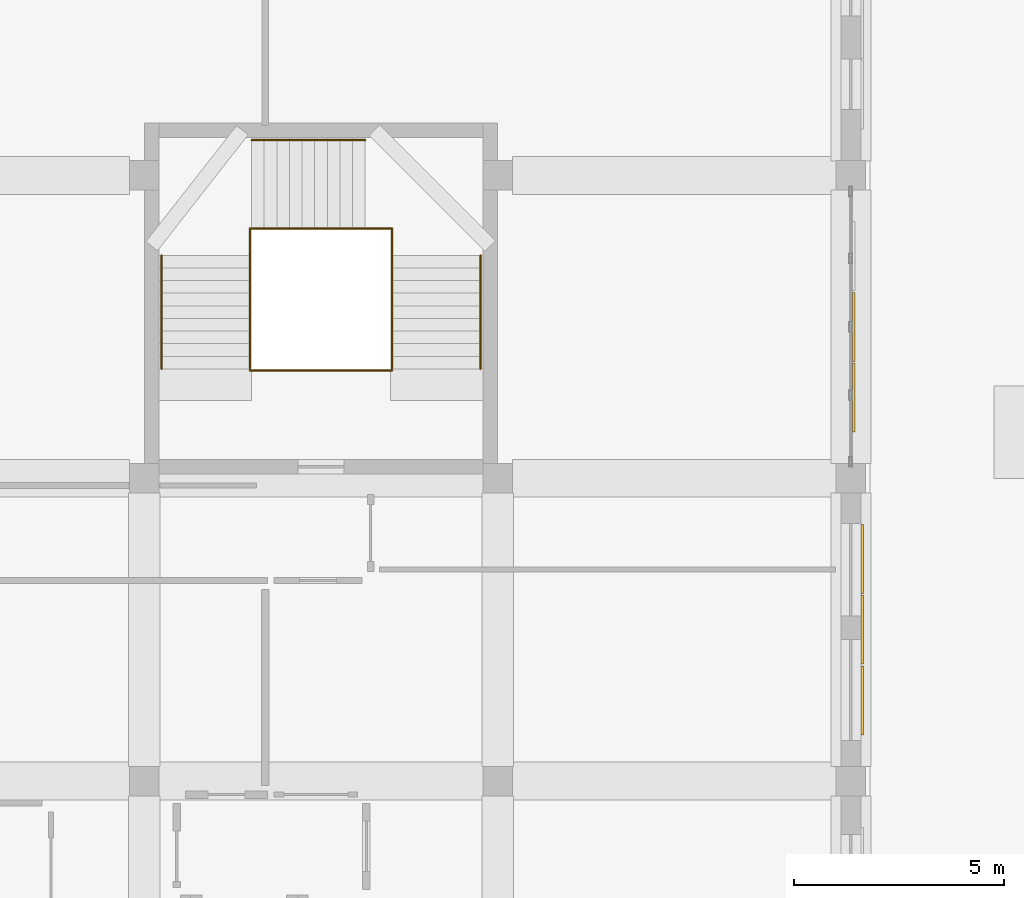
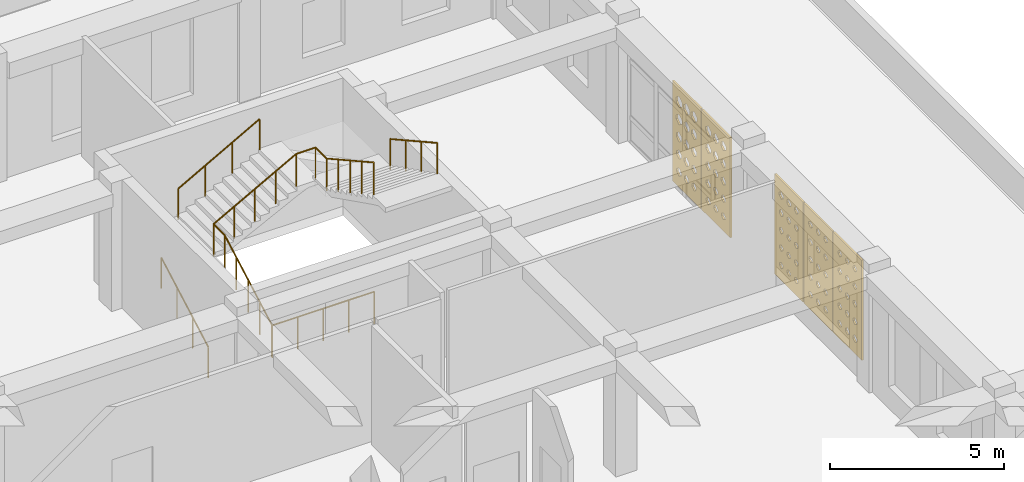
# One storey, part 93 of 100: 7 railings, 5 coverings.
"""IFC4 building model written with IfcOpenShell, lengths in metres."""

from ifc_helpers import new_model, si_unit, derived_unit, direction, frame, origin, origin_2d, place, context, subcontext, project, spatial, polyline, circle, outline, extrude, material, layer, layer_set, type_object, element, save


model = new_model("IFC4")

# Units and contexts
model_context = context("Model", 3, precision=1e-05, world=origin(), true_north=direction((0.0, 1.0)))
body_context = subcontext(model_context, "Body", "Model", "MODEL_VIEW")
ifc_project = project(units=[si_unit("LENGTHUNIT", "METRE"), si_unit("AREAUNIT", "SQUARE_METRE"), si_unit("VOLUMEUNIT", "CUBIC_METRE"), si_unit("PLANEANGLEUNIT", "RADIAN"), si_unit("MASSUNIT", "GRAM", prefix="KILO"), derived_unit("THERMALTRANSMITTANCEUNIT", [(si_unit("POWERUNIT", "WATT"), 1), (si_unit("LENGTHUNIT", "METRE"), -2), (si_unit("THERMODYNAMICTEMPERATUREUNIT", "KELVIN"), -1)])], contexts=[model_context])

# Site, building, storey
site_placement = place(None, origin())
site = spatial("IfcSite", under=ifc_project, at=site_placement, CompositionType="ELEMENT")
building_placement = place(site_placement, origin())
building = spatial("IfcBuilding", under=site, at=building_placement, Name="Veybourne Emporium", CompositionType="ELEMENT")
storey_placement = place(building_placement, frame((0.0, 0.0, 14.39990234375)))
storey = spatial("IfcBuildingStorey", under=building, at=storey_placement, Name="L03", CompositionType="ELEMENT", Elevation=14.39990234375)

# Railings
ifc_material_1 = material(Name="Brushed Stainless Steel", Category="steel")
railing_type_1 = type_object("IfcRailingType", Name="Guard_GR-01", PredefinedType="GUARDRAIL", material=ifc_material_1)
railing_1_placement = place(storey_placement, frame((78.110107421875, 89.0, 0.0)))
element("IfcRailing", 1, at=railing_1_placement, inside=storey, type_object=railing_type_1, Name="L03 ST-04 stair guard 1", PredefinedType="GUARDRAIL", context=body_context, shape_type="SweptSolid", body=[
    extrude(circle(Radius=0.02392578125, at=origin_2d()), frame((0.0, 0.0, 1.1259765625), z_axis=(0.0, 0.87415354758, 0.485649642493), x_axis=(-1.0, 0.0, 0.0)), (0.0, 0.0, 1.0), 3.088623046875),
    extrude(circle(Radius=0.02392578125, at=origin_2d()), frame((0.0, 2.699951171875, 2.6259765625), z_axis=(0.0, 1.0, 0.0), x_axis=(-1.0, 0.0, 0.0)), (0.0, 0.0, 1.0), 0.64013671875),
    extrude(circle(Radius=0.02099609375, at=origin_2d()), origin(), (0.0, 0.0, 1.0), 1.101806640625),
    extrude(circle(Radius=0.02099609375, at=origin_2d()), frame((0.0, 0.675048828125, 0.375)), (0.0, 0.0, 1.0), 1.101806640625),
    extrude(circle(Radius=0.02099609375, at=origin_2d()), frame((0.0, 1.35009765625, 0.75)), (0.0, 0.0, 1.0), 1.101806640625),
    extrude(circle(Radius=0.02099609375, at=origin_2d()), frame((0.0, 2.02490234375, 1.125)), (0.0, 0.0, 1.0), 1.101806640625),
    extrude(circle(Radius=0.02099609375, at=origin_2d()), frame((0.0, 2.699951171875, 1.5)), (0.0, 0.0, 1.0), 1.101806640625),
    extrude(circle(Radius=0.02099609375, at=origin_2d()), frame((0.0, 3.340087890625, 1.5)), (0.0, 0.0, 1.0), 1.101806640625),
])
railing_2_placement = place(storey_placement, frame((78.110107421875, 92.340087890625, 1.5)))
element("IfcRailing", 2, at=railing_2_placement, inside=storey, type_object=railing_type_1, Name="L03 ST-04 stair guard 2", PredefinedType="GUARDRAIL", context=body_context, shape_type="SweptSolid", body=[
    extrude(circle(Radius=0.02392578125, at=origin_2d()), frame((0.0, 0.0, 1.1259765625), z_axis=(0.87715976088, 0.0, 0.480198660861), x_axis=(0.0, 1.0, 0.0)), (0.0, 0.0, 1.0), 3.123779296875),
    extrude(circle(Radius=0.02392578125, at=origin_2d()), frame((2.739990234375, 0.0, 2.6259765625), z_axis=(1.0, 0.0, 0.0), x_axis=(0.0, 1.0, 0.0)), (0.0, 0.0, 1.0), 0.639892578125),
    extrude(circle(Radius=0.02099609375, at=origin_2d()), origin(), (0.0, 0.0, 1.0), 1.101806640625),
    extrude(circle(Radius=0.02099609375, at=origin_2d()), frame((0.68505859375, 0.0, 0.375)), (0.0, 0.0, 1.0), 1.101806640625),
    extrude(circle(Radius=0.02099609375, at=origin_2d()), frame((1.3701171875, 0.0, 0.75)), (0.0, 0.0, 1.0), 1.101806640625),
    extrude(circle(Radius=0.02099609375, at=origin_2d()), frame((2.054931640625, 0.0, 1.125)), (0.0, 0.0, 1.0), 1.101806640625),
    extrude(circle(Radius=0.02099609375, at=origin_2d()), frame((2.739990234375, 0.0, 1.5)), (0.0, 0.0, 1.0), 1.101806640625),
    extrude(circle(Radius=0.02099609375, at=origin_2d()), frame((3.3798828125, 0.0, 1.5)), (0.0, 0.0, 1.0), 1.101806640625),
])
railing_3_placement = place(storey_placement, frame((81.489990234375, 92.340087890625, 3.0)))
element("IfcRailing", 3, at=railing_3_placement, inside=storey, type_object=railing_type_1, Name="L03 ST-04 stair guard 3", PredefinedType="GUARDRAIL", context=body_context, shape_type="SweptSolid", body=[
    extrude(circle(Radius=0.02392578125, at=origin_2d()), frame((0.0, 0.0, 1.1259765625), z_axis=(0.0, -1.0, 0.0), x_axis=(1.0, 0.0, 0.0)), (0.0, 0.0, 1.0), 0.64013671875),
    extrude(circle(Radius=0.02392578125, at=origin_2d()), frame((0.0, -0.64013671875, 1.1259765625), z_axis=(0.0, -0.87415354758, 0.485649642493), x_axis=(1.0, 0.0, 0.0)), (0.0, 0.0, 1.0), 3.088623046875),
    extrude(circle(Radius=0.02099609375, at=origin_2d()), origin(), (0.0, 0.0, 1.0), 1.101806640625),
    extrude(circle(Radius=0.02099609375, at=origin_2d()), frame((0.0, -0.64013671875, 0.0)), (0.0, 0.0, 1.0), 1.101806640625),
    extrude(circle(Radius=0.02099609375, at=origin_2d()), frame((0.0, -1.315185546875, 0.375)), (0.0, 0.0, 1.0), 1.101806640625),
    extrude(circle(Radius=0.02099609375, at=origin_2d()), frame((0.0, -1.990234375, 0.75)), (0.0, 0.0, 1.0), 1.101806640625),
    extrude(circle(Radius=0.02099609375, at=origin_2d()), frame((0.0, -2.6650390625, 1.125)), (0.0, 0.0, 1.0), 1.101806640625),
    extrude(circle(Radius=0.02099609375, at=origin_2d()), frame((0.0, -3.340087890625, 1.5)), (0.0, 0.0, 1.0), 1.101806640625),
])
railing_4_placement = place(storey_placement, frame((78.110107421875, 88.9599609375, 0.0)))
element("IfcRailing", 4, at=railing_4_placement, inside=storey, type_object=railing_type_1, Name="L03 ST-04 stair guard 4", PredefinedType="GUARDRAIL", context=body_context, shape_type="SweptSolid", body=[
    extrude(circle(Radius=0.02392578125, at=origin_2d()), frame((0.0, 0.0, 1.1259765625), z_axis=(1.0, 0.0, 0.0), x_axis=(0.0, 1.0, 0.0)), (0.0, 0.0, 1.0), 3.3798828125),
    extrude(circle(Radius=0.02099609375, at=origin_2d()), origin(), (0.0, 0.0, 1.0), 1.101806640625),
    extrude(circle(Radius=0.02099609375, at=origin_2d()), frame((0.844970703125, 0.0, 0.0)), (0.0, 0.0, 1.0), 1.101806640625),
    extrude(circle(Radius=0.02099609375, at=origin_2d()), frame((1.68994140625, 0.0, 0.0)), (0.0, 0.0, 1.0), 1.101806640625),
    extrude(circle(Radius=0.02099609375, at=origin_2d()), frame((2.534912109375, 0.0, 0.0)), (0.0, 0.0, 1.0), 1.101806640625),
    extrude(circle(Radius=0.02099609375, at=origin_2d()), frame((3.3798828125, 0.0, 0.0)), (0.0, 0.0, 1.0), 1.101806640625),
])
railing_type_2 = type_object("IfcRailingType", Name="Handrail_HR-01", PredefinedType="HANDRAIL", material=ifc_material_1)
railing_5_placement = place(storey_placement, frame((76.010009765625, 89.0, 0.150146484375)))
element("IfcRailing", 5, at=railing_5_placement, inside=storey, type_object=railing_type_2, Name="L03 ST-04 pitch handrail 1", PredefinedType="HANDRAIL", context=body_context, shape_type="SweptSolid", body=[
    extrude(circle(Radius=0.02392578125, at=origin_2d()), frame((0.0, 0.0, 0.92578125), z_axis=(0.0, 0.87415354758, 0.485649642493), x_axis=(-1.0, 0.0, 0.0)), (0.0, 0.0, 1.0), 3.088623046875),
    extrude(circle(Radius=0.02099609375, at=origin_2d()), frame((0.0, 0.0, -0.14990234375)), (0.0, 0.0, 1.0), 1.0517578125),
    extrude(circle(Radius=0.02099609375, at=origin_2d()), frame((0.0, 0.89990234375, 0.35009765625)), (0.0, 0.0, 1.0), 1.0517578125),
    extrude(circle(Radius=0.02099609375, at=origin_2d()), frame((0.0, 1.800048828125, 0.85009765625)), (0.0, 0.0, 1.0), 1.0517578125),
    extrude(circle(Radius=0.02099609375, at=origin_2d()), frame((0.0, 2.699951171875, 1.35009765625)), (0.0, 0.0, 1.0), 1.0517578125),
])
railing_6_placement = place(storey_placement, frame((78.14990234375, 94.43994140625, 1.650146484375)))
element("IfcRailing", 6, at=railing_6_placement, inside=storey, type_object=railing_type_2, Name="L03 ST-04 pitch handrail 2", PredefinedType="HANDRAIL", context=body_context, shape_type="SweptSolid", body=[
    extrude(circle(Radius=0.02392578125, at=origin_2d()), frame((0.0, 0.0, 0.92578125), z_axis=(0.874172188743, 0.0, 0.48561608749), x_axis=(0.0, 1.0, 0.0)), (0.0, 0.0, 1.0), 3.0888671875),
    extrude(circle(Radius=0.02099609375, at=origin_2d()), frame((0.0, 0.0, -0.14990234375)), (0.0, 0.0, 1.0), 1.0517578125),
    extrude(circle(Radius=0.02099609375, at=origin_2d()), frame((0.900146484375, 0.0, 0.35009765625)), (0.0, 0.0, 1.0), 1.0517578125),
    extrude(circle(Radius=0.02099609375, at=origin_2d()), frame((1.800048828125, 0.0, 0.85009765625)), (0.0, 0.0, 1.0), 1.0517578125),
    extrude(circle(Radius=0.02099609375, at=origin_2d()), frame((2.7001953125, 0.0, 1.35009765625)), (0.0, 0.0, 1.0), 1.0517578125),
])
railing_7_placement = place(storey_placement, frame((83.590087890625, 91.699951171875, 3.150146484375)))
element("IfcRailing", 7, at=railing_7_placement, inside=storey, type_object=railing_type_2, Name="L03 ST-04 pitch handrail 3", PredefinedType="HANDRAIL", context=body_context, shape_type="SweptSolid", body=[
    extrude(circle(Radius=0.02392578125, at=origin_2d()), frame((0.0, 0.0, 0.92578125), z_axis=(0.0, -0.87415354758, 0.485649642493), x_axis=(1.0, 0.0, 0.0)), (0.0, 0.0, 1.0), 3.088623046875),
    extrude(circle(Radius=0.02099609375, at=origin_2d()), frame((0.0, 0.0, -0.14990234375)), (0.0, 0.0, 1.0), 1.0517578125),
    extrude(circle(Radius=0.02099609375, at=origin_2d()), frame((0.0, -0.89990234375, 0.35009765625)), (0.0, 0.0, 1.0), 1.0517578125),
    extrude(circle(Radius=0.02099609375, at=origin_2d()), frame((0.0, -1.800048828125, 0.85009765625)), (0.0, 0.0, 1.0), 1.0517578125),
    extrude(circle(Radius=0.02099609375, at=origin_2d()), frame((0.0, -2.699951171875, 1.35009765625)), (0.0, 0.0, 1.0), 1.0517578125),
])

# Coverings
ifc_material_2 = material(Name="Warm-White Perforated Aluminium Screen Alloy", Category="aluminium")
ifc_layer_1 = layer(ifc_material_2, 0.06005859375)
ifc_layer_set_1 = layer_set([ifc_layer_1], Name="Warm-White Perforated Aluminium Screen Alloy")
covering_type_1 = type_object("IfcCoveringType", Name="WaveScreen_SCR-01", PredefinedType="CLADDING", material=ifc_layer_set_1)
covering_1_placement = place(storey_placement, frame((92.697998046875, 84.47998046875, 1.815185546875), z_axis=(-1.0, 0.0, 0.0), x_axis=(0.0, -1.0, 0.0)))
element("IfcCovering", 8, at=covering_1_placement, inside=storey, type_object=covering_type_1, Name="L03 wave-perforated aluminium screen SCR-01 (44.1)", PredefinedType="CLADDING", context=body_context, shape_type="SweptSolid", body=[
    extrude(outline(polyline([(-0.81982421875, -1.7548828125), (0.81982421875, -1.7548828125), (0.81982421875, 1.7548828125), (-0.81982421875, 1.7548828125), (-0.81982421875, -1.7548828125)]), holes=[polyline([(-0.433349609375, -1.117919921875), (-0.333251953125, -1.1884765625), (-0.333251953125, -1.267578125), (-0.433349609375, -1.337890625), (-0.533447265625, -1.267578125), (-0.533447265625, -1.1884765625), (-0.433349609375, -1.117919921875)]), polyline([(-0.433349609375, -0.502197265625), (-0.331787109375, -0.57373046875), (-0.331787109375, -0.654296875), (-0.433349609375, -0.7255859375), (-0.53466796875, -0.654296875), (-0.53466796875, -0.57373046875), (-0.433349609375, -0.502197265625)]), polyline([(-0.433349609375, 0.11572265625), (-0.32861328125, 0.041748046875), (-0.32861328125, -0.041748046875), (-0.433349609375, -0.11572265625), (-0.5380859375, -0.041748046875), (-0.5380859375, 0.041748046875), (-0.433349609375, 0.11572265625)]), polyline([(-0.433349609375, 0.736083984375), (-0.323486328125, 0.657958984375), (-0.323486328125, 0.570068359375), (-0.433349609375, 0.491943359375), (-0.543212890625, 0.570068359375), (-0.543212890625, 0.657958984375), (-0.433349609375, 0.736083984375)]), polyline([(-0.433349609375, 1.3583984375), (-0.316650390625, 1.27490234375), (-0.316650390625, 1.180908203125), (-0.433349609375, 1.097412109375), (-0.550048828125, 1.180908203125), (-0.550048828125, 1.27490234375), (-0.433349609375, 1.3583984375)]), polyline([(0.0, -1.117919921875), (0.10009765625, -1.1884765625), (0.10009765625, -1.267578125), (0.0, -1.338134765625), (-0.10009765625, -1.267578125), (-0.10009765625, -1.1884765625), (0.0, -1.117919921875)]), polyline([(0.0, -0.50341796875), (0.1005859375, -0.57421875), (0.1005859375, -0.65380859375), (0.0, -0.724609375), (-0.1005859375, -0.65380859375), (-0.1005859375, -0.57421875), (0.0, -0.50341796875)]), polyline([(0.0, 0.113525390625), (0.10302734375, 0.041015625), (0.10302734375, -0.041015625), (0.0, -0.113525390625), (-0.10302734375, -0.041015625), (-0.10302734375, 0.041015625), (0.0, 0.113525390625)]), polyline([(0.0, 0.73291015625), (0.107421875, 0.65673828125), (0.107421875, 0.5712890625), (0.0, 0.4951171875), (-0.107421875, 0.5712890625), (-0.107421875, 0.65673828125), (0.0, 0.73291015625)]), polyline([(0.0, 1.3544921875), (0.113525390625, 1.2734375), (0.113525390625, 1.1826171875), (0.0, 1.1015625), (-0.113525390625, 1.1826171875), (-0.113525390625, 1.2734375), (0.0, 1.3544921875)]), polyline([(0.433349609375, -1.117431640625), (0.53369140625, -1.188232421875), (0.53369140625, -1.267822265625), (0.433349609375, -1.338623046875), (0.332763671875, -1.267822265625), (0.332763671875, -1.188232421875), (0.433349609375, -1.117431640625)]), polyline([(0.433349609375, -0.50390625), (0.533447265625, -0.574462890625), (0.533447265625, -0.653564453125), (0.433349609375, -0.72412109375), (0.333251953125, -0.653564453125), (0.333251953125, -0.574462890625), (0.433349609375, -0.50390625)]), polyline([(0.433349609375, 0.112060546875), (0.534912109375, 0.040283203125), (0.534912109375, -0.040283203125), (0.433349609375, -0.112060546875), (0.331787109375, -0.040283203125), (0.331787109375, 0.040283203125), (0.433349609375, 0.112060546875)]), polyline([(0.433349609375, 0.730224609375), (0.53857421875, 0.656005859375), (0.53857421875, 0.572021484375), (0.433349609375, 0.497802734375), (0.328125, 0.572021484375), (0.328125, 0.656005859375), (0.433349609375, 0.730224609375)]), polyline([(0.433349609375, 1.350830078125), (0.543701171875, 1.272216796875), (0.543701171875, 1.183837890625), (0.433349609375, 1.105224609375), (0.322998046875, 1.183837890625), (0.322998046875, 1.272216796875), (0.433349609375, 1.350830078125)])]), origin(), (0.0, 0.0, 1.0), 0.06005859375),
])
ifc_layer_2 = layer(ifc_material_2, 0.06005859375)
ifc_layer_set_2 = layer_set([ifc_layer_2], Name="Warm-White Perforated Aluminium Screen Alloy")
covering_type_2 = type_object("IfcCoveringType", Name="WaveScreen_SCR-02", PredefinedType="CLADDING", material=ifc_layer_set_2)
covering_2_placement = place(storey_placement, frame((92.697998046875, 82.800048828125, 1.815185546875), z_axis=(-1.0, 0.0, 0.0), x_axis=(0.0, -1.0, 0.0)))
element("IfcCovering", 9, at=covering_2_placement, inside=storey, type_object=covering_type_2, Name="L03 wave-perforated aluminium screen SCR-02 (44.2)", PredefinedType="CLADDING", context=body_context, shape_type="SweptSolid", body=[
    extrude(outline(polyline([(-0.81982421875, -1.7548828125), (0.81982421875, -1.7548828125), (0.81982421875, 1.7548828125), (-0.81982421875, 1.7548828125), (-0.81982421875, -1.7548828125)]), holes=[polyline([(-0.433349609375, -1.114990234375), (-0.330810546875, -1.187255859375), (-0.330810546875, -1.268798828125), (-0.433349609375, -1.341064453125), (-0.535888671875, -1.268798828125), (-0.535888671875, -1.187255859375), (-0.433349609375, -1.114990234375)]), polyline([(-0.433349609375, -0.503662109375), (-0.3330078125, -0.57421875), (-0.3330078125, -0.65380859375), (-0.433349609375, -0.724365234375), (-0.53369140625, -0.65380859375), (-0.53369140625, -0.57421875), (-0.433349609375, -0.503662109375)]), polyline([(-0.433349609375, 0.110107421875), (-0.3330078125, 0.039794921875), (-0.3330078125, -0.039794921875), (-0.433349609375, -0.110107421875), (-0.533447265625, -0.039794921875), (-0.533447265625, 0.039794921875), (-0.433349609375, 0.110107421875)]), polyline([(-0.433349609375, 0.7265625), (-0.331298828125, 0.654541015625), (-0.331298828125, 0.573486328125), (-0.433349609375, 0.50146484375), (-0.535400390625, 0.573486328125), (-0.535400390625, 0.654541015625), (-0.433349609375, 0.7265625)]), polyline([(-0.433349609375, 1.34521484375), (-0.327392578125, 1.270263671875), (-0.327392578125, 1.185791015625), (-0.433349609375, 1.11083984375), (-0.5390625, 1.185791015625), (-0.5390625, 1.270263671875), (-0.433349609375, 1.34521484375)]), polyline([(0.0, -1.113037109375), (0.10400390625, -1.1865234375), (0.10400390625, -1.269287109375), (0.0, -1.343017578125), (-0.10400390625, -1.269287109375), (-0.10400390625, -1.1865234375), (0.0, -1.113037109375)]), polyline([(0.0, -0.502685546875), (0.10107421875, -0.573974609375), (0.10107421875, -0.654052734375), (0.0, -0.725341796875), (-0.10107421875, -0.654052734375), (-0.10107421875, -0.573974609375), (0.0, -0.502685546875)]), polyline([(0.0, 0.110107421875), (0.10009765625, 0.03955078125), (0.10009765625, -0.03955078125), (0.0, -0.110107421875), (-0.10009765625, -0.03955078125), (-0.10009765625, 0.03955078125), (0.0, 0.110107421875)]), polyline([(0.0, 0.72509765625), (0.10107421875, 0.654052734375), (0.10107421875, 0.573974609375), (0.0, 0.502685546875), (-0.10107421875, 0.573974609375), (-0.10107421875, 0.654052734375), (0.0, 0.72509765625)]), polyline([(0.0, 1.3427734375), (0.10400390625, 1.269287109375), (0.10400390625, 1.186767578125), (0.0, 1.11328125), (-0.10400390625, 1.186767578125), (-0.10400390625, 1.269287109375), (0.0, 1.3427734375)]), polyline([(0.433349609375, -1.110595703125), (0.539306640625, -1.185791015625), (0.539306640625, -1.270263671875), (0.433349609375, -1.345458984375), (0.327392578125, -1.270263671875), (0.327392578125, -1.185791015625), (0.433349609375, -1.110595703125)]), polyline([(0.433349609375, -0.50146484375), (0.535400390625, -0.573486328125), (0.535400390625, -0.654541015625), (0.433349609375, -0.7265625), (0.331298828125, -0.654541015625), (0.331298828125, -0.573486328125), (0.433349609375, -0.50146484375)]), polyline([(0.433349609375, 0.1103515625), (0.53369140625, 0.039794921875), (0.53369140625, -0.039794921875), (0.433349609375, -0.1103515625), (0.3330078125, -0.039794921875), (0.3330078125, 0.039794921875), (0.433349609375, 0.1103515625)]), polyline([(0.433349609375, 0.724365234375), (0.53369140625, 0.65380859375), (0.53369140625, 0.57421875), (0.433349609375, 0.503662109375), (0.3330078125, 0.57421875), (0.3330078125, 0.65380859375), (0.433349609375, 0.724365234375)]), polyline([(0.433349609375, 1.3408203125), (0.53564453125, 1.2685546875), (0.53564453125, 1.1875), (0.433349609375, 1.115234375), (0.3310546875, 1.1875), (0.3310546875, 1.2685546875), (0.433349609375, 1.3408203125)])]), origin(), (0.0, 0.0, 1.0), 0.06005859375),
])
ifc_layer_3 = layer(ifc_material_2, 0.06005859375)
ifc_layer_set_3 = layer_set([ifc_layer_3], Name="Warm-White Perforated Aluminium Screen Alloy")
covering_type_3 = type_object("IfcCoveringType", Name="WaveScreen_SCR-03", PredefinedType="CLADDING", material=ifc_layer_set_3)
covering_3_placement = place(storey_placement, frame((92.697998046875, 81.1201171875, 1.815185546875), z_axis=(-1.0, 0.0, 0.0), x_axis=(0.0, -1.0, 0.0)))
element("IfcCovering", 10, at=covering_3_placement, inside=storey, type_object=covering_type_3, Name="L03 wave-perforated aluminium screen SCR-03 (44.3)", PredefinedType="CLADDING", context=body_context, shape_type="SweptSolid", body=[
    extrude(outline(polyline([(-0.81982421875, -1.7548828125), (0.81982421875, -1.7548828125), (0.81982421875, 1.7548828125), (-0.81982421875, 1.7548828125), (-0.81982421875, -1.7548828125)]), holes=[polyline([(-0.433349609375, -1.10498046875), (-0.322509765625, -1.18359375), (-0.322509765625, -1.272216796875), (-0.433349609375, -1.35107421875), (-0.544189453125, -1.272216796875), (-0.544189453125, -1.18359375), (-0.433349609375, -1.10498046875)]), polyline([(-0.433349609375, -0.49755859375), (-0.327880859375, -0.572021484375), (-0.327880859375, -0.656005859375), (-0.433349609375, -0.73046875), (-0.538818359375, -0.656005859375), (-0.538818359375, -0.572021484375), (-0.433349609375, -0.49755859375)]), polyline([(-0.433349609375, 0.112060546875), (-0.33154296875, 0.040283203125), (-0.33154296875, -0.040283203125), (-0.433349609375, -0.112060546875), (-0.53515625, -0.040283203125), (-0.53515625, 0.040283203125), (-0.433349609375, 0.112060546875)]), polyline([(-0.433349609375, 0.72412109375), (-0.333251953125, 0.653564453125), (-0.333251953125, 0.574462890625), (-0.433349609375, 0.50390625), (-0.533447265625, 0.574462890625), (-0.533447265625, 0.653564453125), (-0.433349609375, 0.72412109375)]), polyline([(-0.433349609375, 1.338623046875), (-0.3330078125, 1.267822265625), (-0.3330078125, 1.188232421875), (-0.433349609375, 1.117431640625), (-0.53369140625, 1.188232421875), (-0.53369140625, 1.267822265625), (-0.433349609375, 1.338623046875)]), polyline([(0.0, -1.101318359375), (0.11376953125, -1.182373046875), (0.11376953125, -1.273681640625), (0.0, -1.354736328125), (-0.11376953125, -1.273681640625), (-0.11376953125, -1.182373046875), (0.0, -1.101318359375)]), polyline([(0.0, -0.49462890625), (0.107666015625, -0.571044921875), (0.107666015625, -0.656982421875), (0.0, -0.7333984375), (-0.107666015625, -0.656982421875), (-0.107666015625, -0.571044921875), (0.0, -0.49462890625)]), polyline([(0.0, 0.11376953125), (0.10302734375, 0.041015625), (0.10302734375, -0.041015625), (0.0, -0.11376953125), (-0.10302734375, -0.041015625), (-0.10302734375, 0.041015625), (0.0, 0.11376953125)]), polyline([(0.0, 0.724609375), (0.1005859375, 0.65380859375), (0.1005859375, 0.57421875), (0.0, 0.50341796875), (-0.1005859375, 0.57421875), (-0.1005859375, 0.65380859375), (0.0, 0.724609375)]), polyline([(0.0, 1.338134765625), (0.10009765625, 1.267578125), (0.10009765625, 1.1884765625), (0.0, 1.117919921875), (-0.10009765625, 1.1884765625), (-0.10009765625, 1.267578125), (0.0, 1.338134765625)]), polyline([(0.433349609375, -1.09716796875), (0.55029296875, -1.180908203125), (0.55029296875, -1.275146484375), (0.433349609375, -1.35888671875), (0.316162109375, -1.275146484375), (0.316162109375, -1.180908203125), (0.433349609375, -1.09716796875)]), polyline([(0.433349609375, -0.49169921875), (0.54345703125, -0.56982421875), (0.54345703125, -0.658203125), (0.433349609375, -0.736328125), (0.3232421875, -0.658203125), (0.3232421875, -0.56982421875), (0.433349609375, -0.49169921875)]), polyline([(0.433349609375, 0.115966796875), (0.538330078125, 0.041748046875), (0.538330078125, -0.041748046875), (0.433349609375, -0.115966796875), (0.328369140625, -0.041748046875), (0.328369140625, 0.041748046875), (0.433349609375, 0.115966796875)]), polyline([(0.433349609375, 0.725830078125), (0.534912109375, 0.654296875), (0.534912109375, 0.57373046875), (0.433349609375, 0.502197265625), (0.331787109375, 0.57373046875), (0.331787109375, 0.654296875), (0.433349609375, 0.725830078125)]), polyline([(0.433349609375, 1.338134765625), (0.533447265625, 1.267578125), (0.533447265625, 1.1884765625), (0.433349609375, 1.117919921875), (0.333251953125, 1.1884765625), (0.333251953125, 1.267578125), (0.433349609375, 1.338134765625)])]), origin(), (0.0, 0.0, 1.0), 0.06005859375),
])
covering_4_placement = place(storey_placement, frame((92.49560546875, 90.0, 1.815185546875), z_axis=(-1.0, 0.0, 0.0), x_axis=(0.0, -1.0, 0.0)))
element("IfcCovering", 11, at=covering_4_placement, inside=storey, type_object=covering_type_3, Name="L03 wave-perforated aluminium screen SCR-03 (45C.2)", PredefinedType="CLADDING", context=body_context, shape_type="SweptSolid", body=[
    extrude(outline(polyline([(-0.81982421875, -1.7548828125), (0.81982421875, -1.7548828125), (0.81982421875, 1.7548828125), (-0.81982421875, 1.7548828125), (-0.81982421875, -1.7548828125)]), holes=[polyline([(-0.433349609375, -1.080810546875), (-0.302978515625, -1.175048828125), (-0.302978515625, -1.281005859375), (-0.433349609375, -1.375244140625), (-0.563720703125, -1.281005859375), (-0.563720703125, -1.175048828125), (-0.433349609375, -1.080810546875)]), polyline([(-0.433349609375, -0.454345703125), (-0.292724609375, -0.556396484375), (-0.292724609375, -0.67138671875), (-0.433349609375, -0.773681640625), (-0.573974609375, -0.67138671875), (-0.573974609375, -0.556396484375), (-0.433349609375, -0.454345703125)]), polyline([(-0.433349609375, 0.173095703125), (-0.28173828125, 0.062255859375), (-0.28173828125, -0.062255859375), (-0.433349609375, -0.173095703125), (-0.5849609375, -0.062255859375), (-0.5849609375, 0.062255859375), (-0.433349609375, 0.173095703125)]), polyline([(-0.433349609375, 0.801025390625), (-0.270263671875, 0.681396484375), (-0.270263671875, 0.546630859375), (-0.433349609375, 0.427001953125), (-0.596435546875, 0.546630859375), (-0.596435546875, 0.681396484375), (-0.433349609375, 0.801025390625)]), polyline([(-0.433349609375, 1.42919921875), (-0.258544921875, 1.300537109375), (-0.258544921875, 1.155517578125), (-0.433349609375, 1.026611328125), (-0.60791015625, 1.155517578125), (-0.60791015625, 1.300537109375), (-0.433349609375, 1.42919921875)]), polyline([(0.0, -1.0859375), (0.126220703125, -1.177001953125), (0.126220703125, -1.279052734375), (0.0, -1.3701171875), (-0.126220703125, -1.279052734375), (-0.126220703125, -1.177001953125), (0.0, -1.0859375)]), polyline([(0.0, -0.460205078125), (0.135986328125, -0.55859375), (0.135986328125, -0.66943359375), (0.0, -0.767822265625), (-0.135986328125, -0.66943359375), (-0.135986328125, -0.55859375), (0.0, -0.460205078125)]), polyline([(0.0, 0.1669921875), (0.146484375, 0.06005859375), (0.146484375, -0.06005859375), (0.0, -0.1669921875), (-0.146484375, -0.06005859375), (-0.146484375, 0.06005859375), (0.0, 0.1669921875)]), polyline([(0.0, 0.794677734375), (0.157958984375, 0.67919921875), (0.157958984375, 0.548828125), (0.0, 0.433349609375), (-0.157958984375, 0.548828125), (-0.157958984375, 0.67919921875), (0.0, 0.794677734375)]), polyline([(0.0, 1.4228515625), (0.16943359375, 1.298095703125), (0.16943359375, 1.15771484375), (0.0, 1.033203125), (-0.16943359375, 1.15771484375), (-0.16943359375, 1.298095703125), (0.0, 1.4228515625)]), polyline([(0.433349609375, -1.0908203125), (0.555419921875, -1.1787109375), (0.555419921875, -1.27734375), (0.433349609375, -1.364990234375), (0.311279296875, -1.27734375), (0.311279296875, -1.1787109375), (0.433349609375, -1.0908203125)]), polyline([(0.433349609375, -0.4658203125), (0.564697265625, -0.560546875), (0.564697265625, -0.66748046875), (0.433349609375, -0.76220703125), (0.302001953125, -0.66748046875), (0.302001953125, -0.560546875), (0.433349609375, -0.4658203125)]), polyline([(0.433349609375, 0.160888671875), (0.574951171875, 0.057861328125), (0.574951171875, -0.057861328125), (0.433349609375, -0.160888671875), (0.291748046875, -0.057861328125), (0.291748046875, 0.057861328125), (0.433349609375, 0.160888671875)]), polyline([(0.433349609375, 0.788330078125), (0.5859375, 0.6767578125), (0.5859375, 0.55126953125), (0.433349609375, 0.439697265625), (0.280517578125, 0.55126953125), (0.280517578125, 0.6767578125), (0.433349609375, 0.788330078125)]), polyline([(0.433349609375, 1.41650390625), (0.597412109375, 1.2958984375), (0.597412109375, 1.16015625), (0.433349609375, 1.03955078125), (0.269287109375, 1.16015625), (0.269287109375, 1.2958984375), (0.433349609375, 1.41650390625)])]), origin(), (0.0, 0.0, 1.0), 0.06005859375),
])
ifc_layer_4 = layer(ifc_material_2, 0.06005859375)
ifc_layer_set_4 = layer_set([ifc_layer_4], Name="Warm-White Perforated Aluminium Screen Alloy")
covering_type_4 = type_object("IfcCoveringType", Name="WaveScreen_SCR-04", PredefinedType="CLADDING", material=ifc_layer_set_4)
covering_5_placement = place(storey_placement, frame((92.49560546875, 88.320068359375, 1.815185546875), z_axis=(-1.0, 0.0, 0.0), x_axis=(0.0, -1.0, 0.0)))
element("IfcCovering", 12, at=covering_5_placement, inside=storey, type_object=covering_type_4, Name="L03 wave-perforated aluminium screen SCR-04 (45C.3)", PredefinedType="CLADDING", context=body_context, shape_type="SweptSolid", body=[
    extrude(outline(polyline([(-0.81982421875, -1.7548828125), (0.81982421875, -1.7548828125), (0.81982421875, 1.7548828125), (-0.81982421875, 1.7548828125), (-0.81982421875, -1.7548828125)]), holes=[polyline([(-0.433349609375, -1.099365234375), (-0.318115234375, -1.181640625), (-0.318115234375, -1.2744140625), (-0.433349609375, -1.356689453125), (-0.548583984375, -1.2744140625), (-0.548583984375, -1.181640625), (-0.433349609375, -1.099365234375)]), polyline([(-0.433349609375, -0.475341796875), (-0.309814453125, -0.564208984375), (-0.309814453125, -0.663818359375), (-0.433349609375, -0.752685546875), (-0.556884765625, -0.663818359375), (-0.556884765625, -0.564208984375), (-0.433349609375, -0.475341796875)]), polyline([(-0.433349609375, 0.150146484375), (-0.300537109375, 0.053955078125), (-0.300537109375, -0.053955078125), (-0.433349609375, -0.150146484375), (-0.566162109375, -0.053955078125), (-0.566162109375, 0.053955078125), (-0.433349609375, 0.150146484375)]), polyline([(-0.433349609375, 0.77685546875), (-0.2900390625, 0.672607421875), (-0.2900390625, 0.555419921875), (-0.433349609375, 0.451171875), (-0.57666015625, 0.555419921875), (-0.57666015625, 0.672607421875), (-0.433349609375, 0.77685546875)]), polyline([(-0.433349609375, 1.404541015625), (-0.279052734375, 1.29150390625), (-0.279052734375, 1.16455078125), (-0.433349609375, 1.051513671875), (-0.587646484375, 1.16455078125), (-0.587646484375, 1.29150390625), (-0.433349609375, 1.404541015625)]), polyline([(0.0, -1.10302734375), (0.1123046875, -1.18310546875), (0.1123046875, -1.27294921875), (0.0, -1.352783203125), (-0.1123046875, -1.27294921875), (-0.1123046875, -1.18310546875), (0.0, -1.10302734375)]), polyline([(0.0, -0.47998046875), (0.11962890625, -0.56591796875), (0.11962890625, -0.662109375), (0.0, -0.747802734375), (-0.11962890625, -0.662109375), (-0.11962890625, -0.56591796875), (0.0, -0.47998046875)]), polyline([(0.0, 0.144775390625), (0.12841796875, 0.052001953125), (0.12841796875, -0.052001953125), (0.0, -0.144775390625), (-0.12841796875, -0.052001953125), (-0.12841796875, 0.052001953125), (0.0, 0.144775390625)]), polyline([(0.0, 0.77099609375), (0.138427734375, 0.67041015625), (0.138427734375, 0.5576171875), (0.0, 0.45703125), (-0.138427734375, 0.5576171875), (-0.138427734375, 0.67041015625), (0.0, 0.77099609375)]), polyline([(0.0, 1.398193359375), (0.1494140625, 1.289306640625), (0.1494140625, 1.166748046875), (0.0, 1.057861328125), (-0.1494140625, 1.166748046875), (-0.1494140625, 1.289306640625), (0.0, 1.398193359375)]), polyline([(0.433349609375, -1.106689453125), (0.54248046875, -1.184326171875), (0.54248046875, -1.271728515625), (0.433349609375, -1.349365234375), (0.323974609375, -1.271728515625), (0.323974609375, -1.184326171875), (0.433349609375, -1.106689453125)]), polyline([(0.433349609375, -0.484375), (0.54931640625, -0.5673828125), (0.54931640625, -0.66064453125), (0.433349609375, -0.74365234375), (0.3173828125, -0.66064453125), (0.3173828125, -0.5673828125), (0.433349609375, -0.484375)]), polyline([(0.433349609375, 0.1396484375), (0.5576171875, 0.05029296875), (0.5576171875, -0.05029296875), (0.433349609375, -0.1396484375), (0.30908203125, -0.05029296875), (0.30908203125, 0.05029296875), (0.433349609375, 0.1396484375)]), polyline([(0.433349609375, 0.76513671875), (0.567138671875, 0.66845703125), (0.567138671875, 0.5595703125), (0.433349609375, 0.462890625), (0.299560546875, 0.5595703125), (0.299560546875, 0.66845703125), (0.433349609375, 0.76513671875)]), polyline([(0.433349609375, 1.39208984375), (0.57763671875, 1.287109375), (0.57763671875, 1.1689453125), (0.433349609375, 1.06396484375), (0.2890625, 1.1689453125), (0.2890625, 1.287109375), (0.433349609375, 1.39208984375)])]), origin(), (0.0, 0.0, 1.0), 0.06005859375),
])

save(model, "model.ifc")
